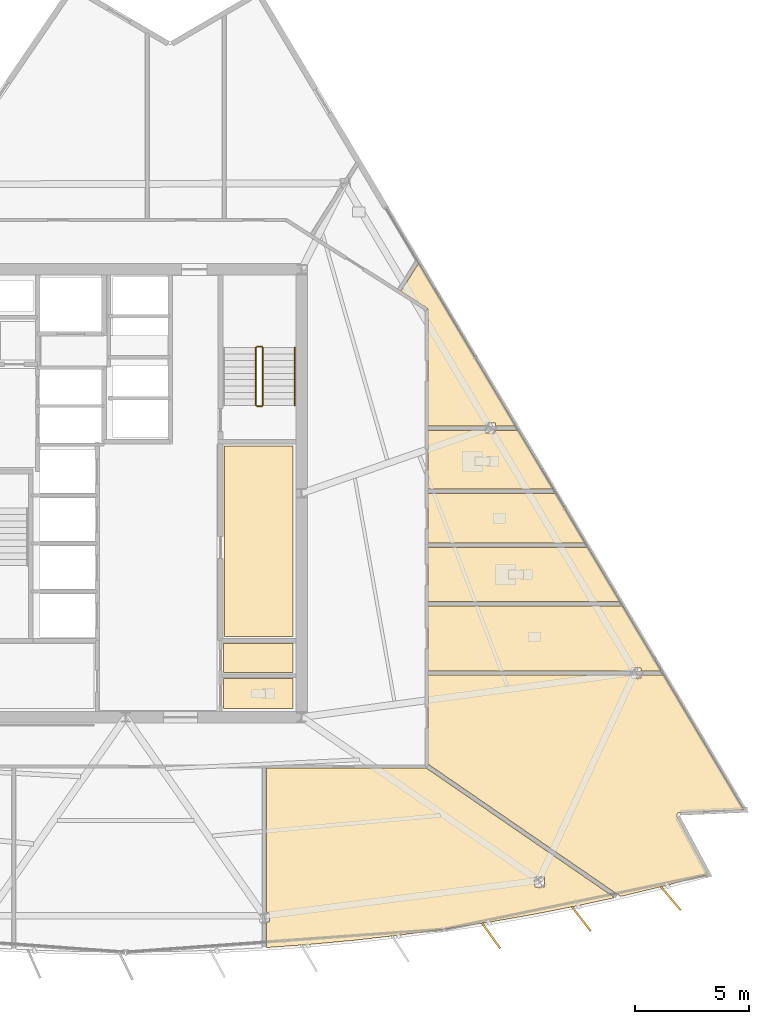
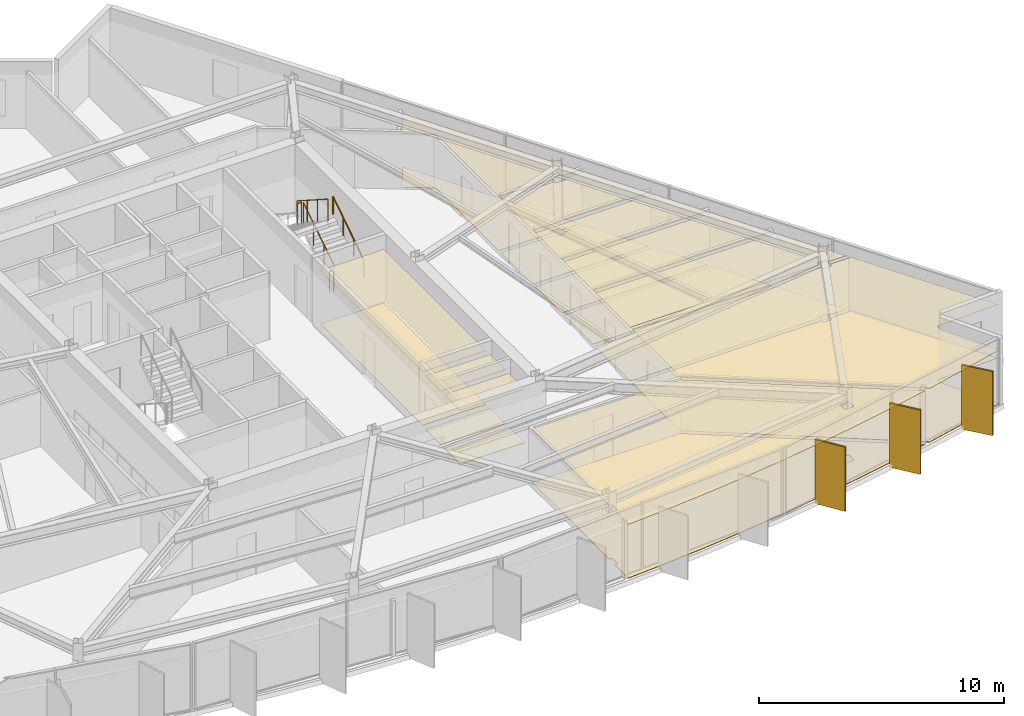
# One storey, part 13 of 15: 20 coverings, 5 railings, 3 shading devices.
"""IFC4 building model written with IfcOpenShell, lengths in metres."""

from ifc_helpers import new_model, si_unit, direction, frame, origin, origin_2d, place, context, subcontext, project, spatial, polyline, rectangle, circle, outline, extrude, material, layer, layer_set, type_object, element, save


model = new_model("IFC4")

# Units and contexts
model_context = context("Model", 3, precision=1e-05, world=origin(), true_north=direction((0.0, 1.0)))
body_context = subcontext(model_context, "Body", "Model", "MODEL_VIEW")
ifc_project = project(units=[si_unit("LENGTHUNIT", "METRE"), si_unit("AREAUNIT", "SQUARE_METRE"), si_unit("VOLUMEUNIT", "CUBIC_METRE"), si_unit("PLANEANGLEUNIT", "RADIAN"), si_unit("MASSUNIT", "GRAM", prefix="KILO")], contexts=[model_context])

# Site, building, storey
site_placement = place(None, origin())
site = spatial("IfcSite", under=ifc_project, at=site_placement, CompositionType="ELEMENT")
building_placement = place(site_placement, origin())
building = spatial("IfcBuilding", under=site, at=building_placement, Name="Savorim Split Tower", CompositionType="ELEMENT")
storey_placement = place(building_placement, frame((0.0, 0.0, 138.60009765625)))
storey = spatial("IfcBuildingStorey", under=building, at=storey_placement, Name="L36", CompositionType="ELEMENT", Elevation=138.60009765625)

# Coverings
ifc_material_1 = material(Name="Mineral Fibre Acoustic Ceiling")
ifc_layer_1 = layer(ifc_material_1, 0.02490234375)
ifc_layer_set_1 = layer_set([ifc_layer_1], Name="COV-CEIL-25")
covering_type_1 = type_object("IfcCoveringType", Name="COV-CEIL-25", PredefinedType="CEILING", material=ifc_layer_set_1)
covering_1_placement = place(storey_placement, frame((0.0, 0.0, 2.669921875)))
element("IfcCovering", 1, at=covering_1_placement, inside=storey, type_object=covering_type_1, Name="L36 Shared Pantry and Linen Room Acoustic Ceiling", PredefinedType="CEILING", context=body_context, shape_type="SweptSolid", body=[
    extrude(outline(polyline([(4.330078125, 2.469970703125), (4.330078125, -5.8701171875), (7.320068359375, -5.8701171875), (7.320068359375, 2.469970703125), (4.330078125, 2.469970703125)])), origin(), (0.0, 0.0, 1.0), 0.02490234375),
])
covering_2_placement = place(storey_placement, frame((0.0, 0.0, 2.669921875)))
element("IfcCovering", 2, at=covering_2_placement, inside=storey, type_object=covering_type_1, Name="L36 Accessible WC Acoustic Ceiling", PredefinedType="CEILING", context=body_context, shape_type="SweptSolid", body=[
    extrude(outline(polyline([(4.280029296875, -7.719970703125), (4.280029296875, -9.02001953125), (7.320068359375, -9.02001953125), (7.320068359375, -7.719970703125), (4.280029296875, -7.719970703125)])), origin(), (0.0, 0.0, 1.0), 0.02490234375),
])
covering_3_placement = place(storey_placement, frame((0.0, 0.0, 2.669921875)))
element("IfcCovering", 3, at=covering_3_placement, inside=storey, type_object=covering_type_1, Name="L36 Cleaning Store Acoustic Ceiling", PredefinedType="CEILING", context=body_context, shape_type="SweptSolid", body=[
    extrude(outline(polyline([(4.280029296875, -6.179931640625), (4.280029296875, -7.43994140625), (7.320068359375, -7.43994140625), (7.320068359375, -6.179931640625), (4.280029296875, -6.179931640625)])), origin(), (0.0, 0.0, 1.0), 0.02490234375),
])
covering_4_placement = place(storey_placement, frame((0.0, 0.0, 2.669921875)))
element("IfcCovering", 4, at=covering_4_placement, inside=storey, type_object=covering_type_1, Name="L36 Co-Working Commons Acoustic Ceiling", PredefinedType="CEILING", context=body_context, shape_type="SweptSolid", body=[
    extrude(outline(polyline([(15.89599609375, -18.37744140625), (17.86181640625, -18.031982421875), (19.8203125, -17.646484375), (21.4013671875, -17.301513671875), (13.13330078125, -11.61572265625), (13.127197265625, -11.6171875), (13.11376953125, -11.619384765625), (13.10009765625, -11.6201171875), (6.16796875, -11.6201171875), (6.16796875, -17.945068359375), (6.284912109375, -17.945068359375), (6.284912109375, -18.3720703125), (6.16796875, -18.3720703125), (6.16796875, -19.44140625), (6.16796875, -19.484619140625), (7.974853515625, -19.35498046875), (9.962158203125, -19.17138671875), (11.945556640625, -18.947265625), (13.923828125, -18.6826171875), (15.89599609375, -18.37744140625)]), holes=[polyline([(18.331787109375, -16.8251953125), (18.331787109375, -16.398193359375), (17.90771484375, -16.398193359375), (17.90771484375, -16.8251953125), (18.331787109375, -16.8251953125)])]), origin(), (0.0, 0.0, 1.0), 0.02490234375),
])
covering_5_placement = place(storey_placement, frame((0.0, 0.0, 2.669921875)))
element("IfcCovering", 5, at=covering_5_placement, inside=storey, type_object=covering_type_1, Name="L36 Maker Workshop Acoustic Ceiling", PredefinedType="CEILING", context=body_context, shape_type="SweptSolid", body=[
    extrude(outline(polyline([(24.2138671875, -13.5810546875), (24.22509765625, -13.5791015625), (24.236572265625, -13.577880859375), (27.058837890625, -13.457763671875), (23.536376953125, -7.53369140625), (23.536376953125, -7.56689453125), (22.5595703125, -7.56689453125), (22.5595703125, -7.685302734375), (22.135498046875, -7.685302734375), (22.135498046875, -7.56689453125), (13.239990234375, -7.56689453125), (13.239990234375, -11.458740234375), (21.656005859375, -17.24609375), (21.770263671875, -17.220947265625), (23.711181640625, -16.755615234375), (25.495849609375, -16.288818359375), (24.135986328125, -13.75439453125), (24.131103515625, -13.744140625), (24.127197265625, -13.7333984375), (24.124267578125, -13.72216796875), (24.122314453125, -13.710693359375), (24.12158203125, -13.69921875), (24.1220703125, -13.6875), (24.123779296875, -13.67626953125), (24.126220703125, -13.664794921875), (24.1298828125, -13.654052734375), (24.134765625, -13.6435546875), (24.140380859375, -13.63330078125), (24.147216796875, -13.6240234375), (24.154541015625, -13.615234375), (24.162841796875, -13.607421875), (24.172119140625, -13.60009765625), (24.181640625, -13.593994140625), (24.19189453125, -13.588623046875), (24.20263671875, -13.584228515625), (24.2138671875, -13.5810546875)])), origin(), (0.0, 0.0, 1.0), 0.02490234375),
])
covering_6_placement = place(storey_placement, frame((0.0, 0.0, 2.669921875)))
element("IfcCovering", 6, at=covering_6_placement, inside=storey, type_object=covering_type_1, Name="L36 Shared Kitchen Acoustic Ceiling", PredefinedType="CEILING", context=body_context, shape_type="SweptSolid", body=[
    extrude(outline(polyline([(22.5595703125, -7.25830078125), (22.5595703125, -7.376708984375), (23.44140625, -7.376708984375), (23.443115234375, -7.376708984375), (21.75341796875, -4.535400390625), (13.239990234375, -4.535400390625), (13.239990234375, -7.376708984375), (22.135498046875, -7.376708984375), (22.135498046875, -7.25830078125), (22.5595703125, -7.25830078125)])), origin(), (0.0, 0.0, 1.0), 0.02490234375),
])
covering_7_placement = place(storey_placement, frame((0.0, 0.0, 2.669921875)))
element("IfcCovering", 7, at=covering_7_placement, inside=storey, type_object=covering_type_1, Name="L36 Shared Bathroom Acoustic Ceiling", PredefinedType="CEILING", context=body_context, shape_type="SweptSolid", body=[
    extrude(outline(polyline([(21.640380859375, -4.345458984375), (20.229248046875, -1.971923828125), (13.239990234375, -1.971923828125), (13.239990234375, -4.345458984375), (21.640380859375, -4.345458984375)])), origin(), (0.0, 0.0, 1.0), 0.02490234375),
])
covering_8_placement = place(storey_placement, frame((0.0, 0.0, 2.669921875)))
element("IfcCovering", 8, at=covering_8_placement, inside=storey, type_object=covering_type_1, Name="L36 Shared Kitchen Acoustic Ceiling", PredefinedType="CEILING", context=body_context, shape_type="SweptSolid", body=[
    extrude(outline(polyline([(20.1162109375, -1.781982421875), (18.827880859375, 0.384521484375), (13.239990234375, 0.384521484375), (13.239990234375, -1.781982421875), (20.1162109375, -1.781982421875)])), origin(), (0.0, 0.0, 1.0), 0.02490234375),
])
covering_9_placement = place(storey_placement, frame((0.0, 0.0, 2.669921875)))
element("IfcCovering", 9, at=covering_9_placement, inside=storey, type_object=covering_type_1, Name="L36 Shared Bathroom Acoustic Ceiling", PredefinedType="CEILING", context=body_context, shape_type="SweptSolid", body=[
    extrude(outline(polyline([(15.76025390625, 3.036376953125), (15.76025390625, 3.15478515625), (13.239990234375, 3.15478515625), (13.239990234375, 0.574462890625), (18.715087890625, 0.574462890625), (17.160888671875, 3.18798828125), (17.160888671875, 3.15478515625), (16.184326171875, 3.15478515625), (16.184326171875, 3.036376953125), (15.76025390625, 3.036376953125)])), origin(), (0.0, 0.0, 1.0), 0.02490234375),
])
covering_10_placement = place(storey_placement, frame((0.0, 0.0, 2.669921875)))
element("IfcCovering", 10, at=covering_10_placement, inside=storey, type_object=covering_type_1, Name="L36 Co-Living Bedroom Acoustic Ceiling", PredefinedType="CEILING", context=body_context, shape_type="SweptSolid", body=[
    extrude(outline(polyline([(16.184326171875, 3.46337890625), (16.184326171875, 3.3447265625), (17.06591796875, 3.3447265625), (17.067626953125, 3.3447265625), (12.830078125, 10.47119140625), (12.045166015625, 9.23681640625), (13.175048828125, 8.51806640625), (13.1865234375, 8.510009765625), (13.197265625, 8.500732421875), (13.206787109375, 8.490478515625), (13.21533203125, 8.479248046875), (13.22265625, 8.46728515625), (13.22900390625, 8.45458984375), (13.233642578125, 8.44140625), (13.2373046875, 8.427978515625), (13.2392578125, 8.4140625), (13.239990234375, 8.39990234375), (13.239990234375, 3.3447265625), (15.76025390625, 3.3447265625), (15.76025390625, 3.46337890625), (16.184326171875, 3.46337890625)])), origin(), (0.0, 0.0, 1.0), 0.02490234375),
])
ifc_material_2 = material(Name="Porcelain Stoneware Flooring", Category="masonry")
ifc_layer_2 = layer(ifc_material_2, 0.02001953125)
ifc_layer_set_2 = layer_set([ifc_layer_2], Name="COV-FLOR-20")
covering_type_2 = type_object("IfcCoveringType", Name="COV-FLOR-20", PredefinedType="FLOORING", material=ifc_layer_set_2)
covering_11_placement = place(storey_placement, origin())
element("IfcCovering", 11, at=covering_11_placement, inside=storey, type_object=covering_type_2, Name="L36 Shared Pantry and Linen Room Porcelain Flooring", PredefinedType="FLOORING", context=body_context, shape_type="SweptSolid", body=[
    extrude(outline(polyline([(4.330078125, 2.469970703125), (4.330078125, -5.8701171875), (7.320068359375, -5.8701171875), (7.320068359375, 2.469970703125), (4.330078125, 2.469970703125)])), origin(), (0.0, 0.0, 1.0), 0.02001953125),
])
covering_12_placement = place(storey_placement, origin())
element("IfcCovering", 12, at=covering_12_placement, inside=storey, type_object=covering_type_2, Name="L36 Accessible WC Porcelain Flooring", PredefinedType="FLOORING", context=body_context, shape_type="SweptSolid", body=[
    extrude(outline(polyline([(4.280029296875, -7.719970703125), (4.280029296875, -9.02001953125), (7.320068359375, -9.02001953125), (7.320068359375, -7.719970703125), (4.280029296875, -7.719970703125)])), origin(), (0.0, 0.0, 1.0), 0.02001953125),
])
covering_13_placement = place(storey_placement, origin())
element("IfcCovering", 13, at=covering_13_placement, inside=storey, type_object=covering_type_2, Name="L36 Cleaning Store Porcelain Flooring", PredefinedType="FLOORING", context=body_context, shape_type="SweptSolid", body=[
    extrude(outline(polyline([(4.280029296875, -6.179931640625), (4.280029296875, -7.43994140625), (7.320068359375, -7.43994140625), (7.320068359375, -6.179931640625), (4.280029296875, -6.179931640625)])), origin(), (0.0, 0.0, 1.0), 0.02001953125),
])
covering_14_placement = place(storey_placement, origin())
element("IfcCovering", 14, at=covering_14_placement, inside=storey, type_object=covering_type_2, Name="L36 Co-Working Commons Porcelain Flooring", PredefinedType="FLOORING", context=body_context, shape_type="SweptSolid", body=[
    extrude(outline(polyline([(15.89599609375, -18.37744140625), (17.86181640625, -18.031982421875), (19.8203125, -17.646484375), (21.4013671875, -17.301513671875), (13.13330078125, -11.61572265625), (13.127197265625, -11.6171875), (13.11376953125, -11.619384765625), (13.10009765625, -11.6201171875), (6.16796875, -11.6201171875), (6.16796875, -17.945068359375), (6.284912109375, -17.945068359375), (6.284912109375, -18.3720703125), (6.16796875, -18.3720703125), (6.16796875, -19.44140625), (6.16796875, -19.484619140625), (7.974853515625, -19.35498046875), (9.962158203125, -19.17138671875), (11.945556640625, -18.947265625), (13.923828125, -18.6826171875), (15.89599609375, -18.37744140625)]), holes=[polyline([(18.331787109375, -16.8251953125), (18.331787109375, -16.398193359375), (17.90771484375, -16.398193359375), (17.90771484375, -16.8251953125), (18.331787109375, -16.8251953125)])]), origin(), (0.0, 0.0, 1.0), 0.02001953125),
])
covering_15_placement = place(storey_placement, origin())
element("IfcCovering", 15, at=covering_15_placement, inside=storey, type_object=covering_type_2, Name="L36 Maker Workshop Porcelain Flooring", PredefinedType="FLOORING", context=body_context, shape_type="SweptSolid", body=[
    extrude(outline(polyline([(24.2138671875, -13.5810546875), (24.22509765625, -13.5791015625), (24.236572265625, -13.577880859375), (27.058837890625, -13.457763671875), (23.536376953125, -7.53369140625), (23.536376953125, -7.56689453125), (22.5595703125, -7.56689453125), (22.5595703125, -7.685302734375), (22.135498046875, -7.685302734375), (22.135498046875, -7.56689453125), (13.239990234375, -7.56689453125), (13.239990234375, -11.458740234375), (21.656005859375, -17.24609375), (21.770263671875, -17.220947265625), (23.711181640625, -16.755615234375), (25.495849609375, -16.288818359375), (24.135986328125, -13.75439453125), (24.131103515625, -13.744140625), (24.127197265625, -13.7333984375), (24.124267578125, -13.72216796875), (24.122314453125, -13.710693359375), (24.12158203125, -13.69921875), (24.1220703125, -13.6875), (24.123779296875, -13.67626953125), (24.126220703125, -13.664794921875), (24.1298828125, -13.654052734375), (24.134765625, -13.6435546875), (24.140380859375, -13.63330078125), (24.147216796875, -13.6240234375), (24.154541015625, -13.615234375), (24.162841796875, -13.607421875), (24.172119140625, -13.60009765625), (24.181640625, -13.593994140625), (24.19189453125, -13.588623046875), (24.20263671875, -13.584228515625), (24.2138671875, -13.5810546875)])), origin(), (0.0, 0.0, 1.0), 0.02001953125),
])
covering_16_placement = place(storey_placement, origin())
element("IfcCovering", 16, at=covering_16_placement, inside=storey, type_object=covering_type_2, Name="L36 Shared Kitchen Porcelain Flooring", PredefinedType="FLOORING", context=body_context, shape_type="SweptSolid", body=[
    extrude(outline(polyline([(22.5595703125, -7.25830078125), (22.5595703125, -7.376708984375), (23.44140625, -7.376708984375), (23.443115234375, -7.376708984375), (21.75341796875, -4.535400390625), (13.239990234375, -4.535400390625), (13.239990234375, -7.376708984375), (22.135498046875, -7.376708984375), (22.135498046875, -7.25830078125), (22.5595703125, -7.25830078125)])), origin(), (0.0, 0.0, 1.0), 0.02001953125),
])
covering_17_placement = place(storey_placement, origin())
element("IfcCovering", 17, at=covering_17_placement, inside=storey, type_object=covering_type_2, Name="L36 Shared Bathroom Porcelain Flooring", PredefinedType="FLOORING", context=body_context, shape_type="SweptSolid", body=[
    extrude(outline(polyline([(21.640380859375, -4.345458984375), (20.229248046875, -1.971923828125), (13.239990234375, -1.971923828125), (13.239990234375, -4.345458984375), (21.640380859375, -4.345458984375)])), origin(), (0.0, 0.0, 1.0), 0.02001953125),
])
covering_18_placement = place(storey_placement, origin())
element("IfcCovering", 18, at=covering_18_placement, inside=storey, type_object=covering_type_2, Name="L36 Shared Kitchen Porcelain Flooring", PredefinedType="FLOORING", context=body_context, shape_type="SweptSolid", body=[
    extrude(outline(polyline([(20.1162109375, -1.781982421875), (18.827880859375, 0.384521484375), (13.239990234375, 0.384521484375), (13.239990234375, -1.781982421875), (20.1162109375, -1.781982421875)])), origin(), (0.0, 0.0, 1.0), 0.02001953125),
])
covering_19_placement = place(storey_placement, origin())
element("IfcCovering", 19, at=covering_19_placement, inside=storey, type_object=covering_type_2, Name="L36 Shared Bathroom Porcelain Flooring", PredefinedType="FLOORING", context=body_context, shape_type="SweptSolid", body=[
    extrude(outline(polyline([(15.76025390625, 3.036376953125), (15.76025390625, 3.15478515625), (13.239990234375, 3.15478515625), (13.239990234375, 0.574462890625), (18.715087890625, 0.574462890625), (17.160888671875, 3.18798828125), (17.160888671875, 3.15478515625), (16.184326171875, 3.15478515625), (16.184326171875, 3.036376953125), (15.76025390625, 3.036376953125)])), origin(), (0.0, 0.0, 1.0), 0.02001953125),
])
covering_20_placement = place(storey_placement, origin())
element("IfcCovering", 20, at=covering_20_placement, inside=storey, type_object=covering_type_2, Name="L36 Co-Living Bedroom Porcelain Flooring", PredefinedType="FLOORING", context=body_context, shape_type="SweptSolid", body=[
    extrude(outline(polyline([(16.184326171875, 3.46337890625), (16.184326171875, 3.3447265625), (17.06591796875, 3.3447265625), (17.067626953125, 3.3447265625), (12.830078125, 10.47119140625), (12.045166015625, 9.23681640625), (13.175048828125, 8.51806640625), (13.1865234375, 8.510009765625), (13.197265625, 8.500732421875), (13.206787109375, 8.490478515625), (13.21533203125, 8.479248046875), (13.22265625, 8.46728515625), (13.22900390625, 8.45458984375), (13.233642578125, 8.44140625), (13.2373046875, 8.427978515625), (13.2392578125, 8.4140625), (13.239990234375, 8.39990234375), (13.239990234375, 3.3447265625), (15.76025390625, 3.3447265625), (15.76025390625, 3.46337890625), (16.184326171875, 3.46337890625)])), origin(), (0.0, 0.0, 1.0), 0.02001953125),
])

# Railings
ifc_material_3 = material(Name="Galvanised Painted Steel Balustrade", Category="steel")
railing_type_1 = type_object("IfcRailingType", Name="RLG-HR-900", PredefinedType="HANDRAIL", material=ifc_material_3)
railing_1_placement = place(storey_placement, frame((7.39990234375, 4.25, 0.179931640625)))
element("IfcRailing", 21, at=railing_1_placement, inside=storey, type_object=railing_type_1, Name="L36 ST-2 stair handrail 1", PredefinedType="HANDRAIL", context=body_context, shape_type="SweptSolid", body=[
    extrude(circle(Radius=0.02392578125, at=origin_2d()), frame((0.0, 0.0, 0.8759765625), z_axis=(0.0, 0.841199657755, 0.540724639528), x_axis=(-1.0, 0.0, 0.0)), (0.0, 0.0, 1.0), 2.995849609375),
    extrude(circle(Radius=0.02099609375, at=origin_2d()), origin(), (0.0, 0.0, 1.0), 0.851806640625),
    extrude(circle(Radius=0.02099609375, at=origin_2d()), frame((0.0, 0.840087890625, 0.5400390625)), (0.0, 0.0, 1.0), 0.851806640625),
    extrude(circle(Radius=0.02099609375, at=origin_2d()), frame((0.0, 1.679931640625, 1.079833984375)), (0.0, 0.0, 1.0), 0.851806640625),
    extrude(circle(Radius=0.02099609375, at=origin_2d()), frame((0.0, 2.52001953125, 1.619873046875)), (0.0, 0.0, 1.0), 0.851806640625),
])
railing_type_2 = type_object("IfcRailingType", Name="RLG-STG-1100", PredefinedType="BALUSTRADE", material=ifc_material_3)
railing_2_placement = place(storey_placement, frame((6.0, 4.25, 0.179931640625)))
element("IfcRailing", 22, at=railing_2_placement, inside=storey, type_object=railing_type_2, Name="L36 ST-2 stair guard 1", PredefinedType="BALUSTRADE", context=body_context, shape_type="SweptSolid", body=[
    extrude(circle(Radius=0.02392578125, at=origin_2d()), frame((0.0, 0.0, 1.076171875), z_axis=(0.0, 0.841199657755, 0.540724639528), x_axis=(-1.0, 0.0, 0.0)), (0.0, 0.0, 1.0), 2.995849609375),
    extrude(circle(Radius=0.02099609375, at=origin_2d()), origin(), (0.0, 0.0, 1.0), 1.052001953125),
    extrude(circle(Radius=0.02099609375, at=origin_2d()), frame((0.0, 0.840087890625, 0.5400390625)), (0.0, 0.0, 1.0), 1.052001953125),
    extrude(circle(Radius=0.02099609375, at=origin_2d()), frame((0.0, 1.679931640625, 1.079833984375)), (0.0, 0.0, 1.0), 1.052001953125),
    extrude(circle(Radius=0.02099609375, at=origin_2d()), frame((0.0, 2.52001953125, 1.619873046875)), (0.0, 0.0, 1.0), 1.052001953125),
])
railing_3_placement = place(storey_placement, frame((5.949951171875, 6.820068359375, 1.7998046875)))
element("IfcRailing", 23, at=railing_3_placement, inside=storey, type_object=railing_type_2, Name="L36 ST-2 stair guard 2", PredefinedType="BALUSTRADE", context=body_context, shape_type="SweptSolid", body=[
    extrude(circle(Radius=0.02392578125, at=origin_2d()), frame((0.0, 0.0, 1.076171875), z_axis=(-1.0, 0.0, 0.0), x_axis=(0.0, -1.0, 0.0)), (0.0, 0.0, 1.0), 0.199951171875),
    extrude(circle(Radius=0.02099609375, at=origin_2d()), origin(), (0.0, 0.0, 1.0), 1.052001953125),
    extrude(circle(Radius=0.02099609375, at=origin_2d()), frame((-0.199951171875, 0.0, 0.0)), (0.0, 0.0, 1.0), 1.052001953125),
])
railing_4_placement = place(storey_placement, frame((5.699951171875, 6.77001953125, 1.97998046875)))
element("IfcRailing", 24, at=railing_4_placement, inside=storey, type_object=railing_type_2, Name="L36 ST-2 stair guard 3", PredefinedType="BALUSTRADE", context=body_context, shape_type="SweptSolid", body=[
    extrude(circle(Radius=0.02392578125, at=origin_2d()), frame((0.0, 0.0, 1.076171875), z_axis=(0.0, -0.841199657755, 0.540724639528), x_axis=(1.0, 0.0, 0.0)), (0.0, 0.0, 1.0), 2.995849609375),
    extrude(circle(Radius=0.02099609375, at=origin_2d()), origin(), (0.0, 0.0, 1.0), 1.052001953125),
    extrude(circle(Radius=0.02099609375, at=origin_2d()), frame((0.0, -0.840087890625, 0.5400390625)), (0.0, 0.0, 1.0), 1.052001953125),
    extrude(circle(Radius=0.02099609375, at=origin_2d()), frame((0.0, -1.679931640625, 1.079833984375)), (0.0, 0.0, 1.0), 1.052001953125),
    extrude(circle(Radius=0.02099609375, at=origin_2d()), frame((0.0, -2.52001953125, 1.619873046875)), (0.0, 0.0, 1.0), 1.052001953125),
])
railing_5_placement = place(storey_placement, frame((5.949951171875, 4.199951171875, 0.0)))
element("IfcRailing", 25, at=railing_5_placement, inside=storey, type_object=railing_type_2, Name="L36 ST-2 stair guard 4", PredefinedType="BALUSTRADE", context=body_context, shape_type="SweptSolid", body=[
    extrude(circle(Radius=0.02392578125, at=origin_2d()), frame((0.0, 0.0, 1.076171875), z_axis=(-1.0, 0.0, 0.0), x_axis=(0.0, -1.0, 0.0)), (0.0, 0.0, 1.0), 0.199951171875),
    extrude(circle(Radius=0.02099609375, at=origin_2d()), origin(), (0.0, 0.0, 1.0), 1.052001953125),
    extrude(circle(Radius=0.02099609375, at=origin_2d()), frame((-0.199951171875, 0.0, 0.0)), (0.0, 0.0, 1.0), 1.052001953125),
])

# Shading devices
ifc_material_4 = material(Name="Terracotta Ceramic-Coated Aluminium Fin", Category="masonry")
shading_device_type = type_object("IfcShadingDeviceType", Name="SHD-FIN-1360", PredefinedType="USERDEFINED", material=ifc_material_4)
for number, where, z_axis, x_axis, name in (
    (26, (15.993408203125, -18.965576171875, -0.2001953125), (0.0, 0.0, 1.0), (0.578993757737, -0.815331974414, 0.0), "L36 Sawtooth Shading Fin 11"),
    (27, (19.94140625, -18.22998046875, -0.2001953125), (0.0, 0.0, 1.0), (0.611868076908, -0.790959832394, 0.0), "L36 Sawtooth Shading Fin 12"),
    (28, (23.85595703125, -17.333740234375, -0.2001953125), (0.0, 0.0, 1.0), (0.643719022682, -0.765261928909, 0.0), "L36 Sawtooth Shading Fin 13"),
):
    element("IfcShadingDevice", number, at=place(storey_placement, frame(where, z_axis=z_axis, x_axis=x_axis)), inside=storey, type_object=shading_device_type, Name=name, ObjectType="FIN", PredefinedType="USERDEFINED", context=body_context, shape_type="SweptSolid", body=[
        extrude(rectangle(XDim=1.360107421875, YDim=0.080078125, at=origin_2d()), origin(), (0.0, 0.0, 1.0), 3.199951171875),
    ])

save(model, "model.ifc")
